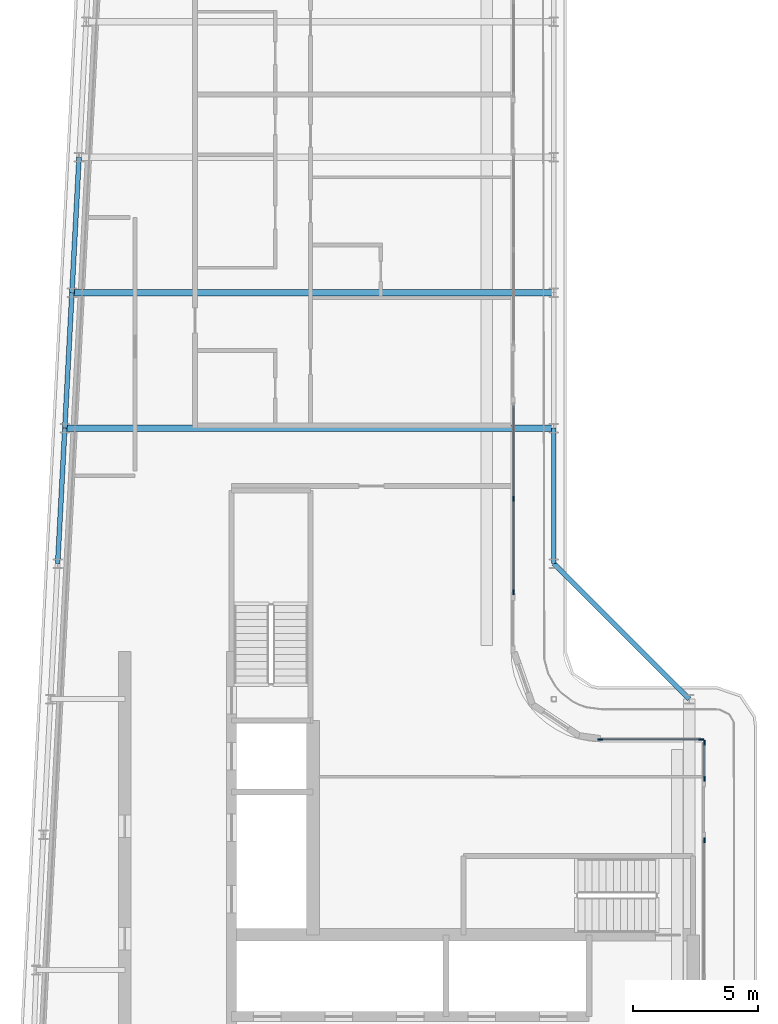
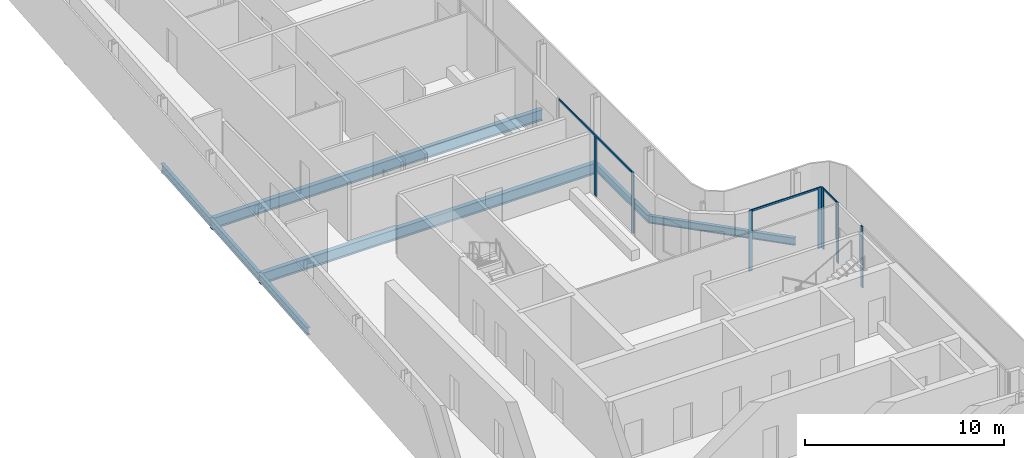
# One storey, part 5 of 17: 10 members, 7 beams, 4 elements without a shape of their own.
"""IFC4 building model written with IfcOpenShell, lengths in metres."""

from ifc_helpers import new_model, si_unit, direction, frame, origin, origin_2d, place, context, subcontext, project, spatial, rectangle, i_section, extrude, material, layer, layer_set, material_profile, profile_set, type_object, element, aggregate, save


model = new_model("IFC4")

# Units and contexts
model_context = context("Model", 3, precision=1e-05, world=origin(), true_north=direction((0.0, 1.0)))
body_context = subcontext(model_context, "Body", "Model", "MODEL_VIEW")
ifc_project = project(units=[si_unit("LENGTHUNIT", "METRE"), si_unit("AREAUNIT", "SQUARE_METRE"), si_unit("VOLUMEUNIT", "CUBIC_METRE"), si_unit("PLANEANGLEUNIT", "RADIAN"), si_unit("MASSUNIT", "GRAM", prefix="KILO")], contexts=[model_context])

# Site, building, storey
site_placement = place(None, origin())
site = spatial("IfcSite", under=ifc_project, at=site_placement, CompositionType="ELEMENT")
building_placement = place(site_placement, origin())
building = spatial("IfcBuilding", under=site, at=building_placement, Name="Kheshtan School and Residences Tower", CompositionType="ELEMENT")
storey_placement = place(building_placement, frame((0.0, 0.0, 342.199951171875)))
storey = spatial("IfcBuildingStorey", under=building, at=storey_placement, Name="L80", CompositionType="ELEMENT", Elevation=342.199951171875)

# Beams
ifc_material_1 = material(Name="Steel ASTM A992 Grade 50", Category="steel")
ifc_material_profile_1 = material_profile(ifc_material_1, i_section(OverallWidth=0.2529296875, OverallDepth=0.677978515625, WebThickness=0.01171875, FlangeThickness=0.016357421875, FilletRadius=0.0146484375, at=origin_2d()), Name="W690x125")
ifc_profile_set_1 = profile_set([ifc_material_profile_1], Name="Steel ASTM A992 Grade 50")
beam_type_1 = type_object("IfcBeamType", Name="Beam FB6 W690x125 ASTM A992 Grade 50", PredefinedType="BEAM", material=ifc_profile_set_1)
beam_1_placement = place(storey_placement, frame((47.60009765625, 61.800048828125, -0.489013671875), z_axis=(-1.0, 0.0, 0.0), x_axis=(0.0, -1.0, 0.0)))
element("IfcBeam", 1, at=beam_1_placement, inside=storey, type_object=beam_type_1, Name="Floor beam C083", PredefinedType="BEAM", context=body_context, shape_type="SweptSolid", body=[
    extrude(i_section(OverallWidth=0.2529296875, OverallDepth=0.677978515625, WebThickness=0.01171875, FlangeThickness=0.016357421875, FilletRadius=0.0146484375, at=origin_2d()), origin(), (0.0, 0.0, 1.0), 19.210205078125),
])
beam_2_placement = place(storey_placement, frame((28.10595703125, 56.39990234375, -0.489013671875), z_axis=(1.0, 0.0, 0.0), x_axis=(0.0, 1.0, 0.0)))
element("IfcBeam", 2, at=beam_2_placement, inside=storey, type_object=beam_type_1, Name="Floor beam C080", PredefinedType="BEAM", context=body_context, shape_type="SweptSolid", body=[
    extrude(i_section(OverallWidth=0.2529296875, OverallDepth=0.677978515625, WebThickness=0.01171875, FlangeThickness=0.016357421875, FilletRadius=0.0146484375, at=origin_2d()), origin(), (0.0, 0.0, 1.0), 19.494140625),
])
ifc_material_profile_2 = material_profile(ifc_material_1, i_section(OverallWidth=0.18994140625, OverallDepth=0.45703125, WebThickness=0.009033203125, FlangeThickness=0.014404296875, FilletRadius=0.01318359375, at=origin_2d()), Name="W460x74")
ifc_profile_set_2 = profile_set([ifc_material_profile_2], Name="Steel ASTM A992 Grade 50")
beam_type_2 = type_object("IfcBeamType", Name="Beam SP4 W460x74 ASTM A992 Grade 50", PredefinedType="BEAM", material=ifc_profile_set_2)
beam_3_placement = place(storey_placement, frame((47.60009765625, 56.39990234375, -0.37841796875), z_axis=(0.0, -1.0, 0.0), x_axis=(1.0, 0.0, 0.0)))
element("IfcBeam", 3, at=beam_3_placement, inside=storey, type_object=beam_type_2, Name="Spandrel beam C081-C079", PredefinedType="BEAM", context=body_context, shape_type="SweptSolid", body=[
    extrude(i_section(OverallWidth=0.18994140625, OverallDepth=0.45703125, WebThickness=0.009033203125, FlangeThickness=0.014404296875, FilletRadius=0.01318359375, at=origin_2d()), origin(), (0.0, 0.0, 1.0), 5.39990234375),
])
beam_4_placement = place(storey_placement, frame((47.60009765625, 51.0, -0.37841796875), z_axis=(0.707106781187, -0.707106781187, 0.0), x_axis=(0.707106781187, 0.707106781187, 0.0)))
element("IfcBeam", 4, at=beam_4_placement, inside=storey, type_object=beam_type_2, Name="Spandrel beam C079-C061", PredefinedType="BEAM", context=body_context, shape_type="SweptSolid", body=[
    extrude(i_section(OverallWidth=0.18994140625, OverallDepth=0.45703125, WebThickness=0.009033203125, FlangeThickness=0.014404296875, FilletRadius=0.01318359375, at=origin_2d()), origin(), (0.0, 0.0, 1.0), 7.63671875),
])
beam_5_placement = place(storey_placement, frame((27.822021484375, 51.0, -0.37841796875), z_axis=(0.05250906864, 0.998620447272, 0.0), x_axis=(-0.998620447272, 0.05250906864, 0.0)))
element("IfcBeam", 5, at=beam_5_placement, inside=storey, type_object=beam_type_2, Name="Spandrel beam C078-C080", PredefinedType="BEAM", context=body_context, shape_type="SweptSolid", body=[
    extrude(i_section(OverallWidth=0.18994140625, OverallDepth=0.45703125, WebThickness=0.009033203125, FlangeThickness=0.014404296875, FilletRadius=0.01318359375, at=origin_2d()), origin(), (0.0, 0.0, 1.0), 5.407470703125),
])
beam_6_placement = place(storey_placement, frame((28.10595703125, 56.39990234375, -0.37841796875), z_axis=(0.05250670125, 0.998620571751, 0.0), x_axis=(-0.998620571751, 0.05250670125, 0.0)))
element("IfcBeam", 6, at=beam_6_placement, inside=storey, type_object=beam_type_2, Name="Spandrel beam C080-C082", PredefinedType="BEAM", context=body_context, shape_type="SweptSolid", body=[
    extrude(i_section(OverallWidth=0.18994140625, OverallDepth=0.45703125, WebThickness=0.009033203125, FlangeThickness=0.014404296875, FilletRadius=0.01318359375, at=origin_2d()), origin(), (0.0, 0.0, 1.0), 5.40771484375),
])
beam_7_placement = place(storey_placement, frame((28.389892578125, 61.800048828125, -0.37841796875), z_axis=(0.052554093665, 0.998618078766, 0.0), x_axis=(-0.998618078766, 0.052554093665, 0.0)))
element("IfcBeam", 7, at=beam_7_placement, inside=storey, type_object=beam_type_2, Name="Spandrel beam C082-C084", PredefinedType="BEAM", context=body_context, shape_type="SweptSolid", body=[
    extrude(i_section(OverallWidth=0.18994140625, OverallDepth=0.45703125, WebThickness=0.009033203125, FlangeThickness=0.014404296875, FilletRadius=0.01318359375, at=origin_2d()), origin(), (0.0, 0.0, 1.0), 5.407470703125),
])

# Curtain wall, members
ifc_material_2 = material(Name="Clear low-e glass in thermally broken aluminium frame", Category="aluminium")
ifc_layer_1 = layer(ifc_material_2, 0.199951171875)
ifc_layer_set_1 = layer_set([ifc_layer_1], Name="Curtain wall CW-B")
curtain_wall_type_1 = type_object("IfcCurtainWallType", Name="Curtain wall CW-B", PredefinedType="NOTDEFINED", material=ifc_layer_set_1)
curtain_wall_1_placement = place(storey_placement, origin())
curtain_wall_1 = element("IfcCurtainWall", 8, at=curtain_wall_1_placement, inside=storey, type_object=curtain_wall_type_1, Name="Curtain wall CWB8", PredefinedType="NOTDEFINED")
ifc_material_3 = material(Name="Thermally broken aluminium, dark bronze anodised", Category="aluminium")
ifc_material_profile_3 = material_profile(ifc_material_3, rectangle(XDim=0.06005859375, YDim=0.199951171875, at=origin_2d()), Name="CW-B mullion 60x200")
ifc_profile_set_3 = profile_set([ifc_material_profile_3], Name="Thermally broken aluminium, dark bronze anodised")
member_type_1 = type_object("IfcMemberType", Name="CW-B mullion 60x200", PredefinedType="MULLION", material=ifc_profile_set_3)
member_1_placement = place(storey_placement, frame((49.4599609375, 44.0, 0.0), z_axis=(0.0, 0.0, 1.0), x_axis=(0.0, 1.0, 0.0)))
member_1 = element("IfcMember", 9, at=member_1_placement, type_object=member_type_1, Name="CWB8 mullion 1", PredefinedType="MULLION", context=body_context, shape_type="SweptSolid", body=[
    extrude(rectangle(XDim=0.06005859375, YDim=0.199951171875, at=origin_2d()), origin(), (0.0, 0.0, 1.0), 3.75),
])
member_2_placement = place(storey_placement, frame((53.469970703125, 44.0, 0.0), z_axis=(0.0, 0.0, 1.0), x_axis=(0.0, 1.0, 0.0)))
member_2 = element("IfcMember", 10, at=member_2_placement, type_object=member_type_1, Name="CWB8 mullion 2", PredefinedType="MULLION", context=body_context, shape_type="SweptSolid", body=[
    extrude(rectangle(XDim=0.06005859375, YDim=0.199951171875, at=origin_2d()), origin(), (0.0, 0.0, 1.0), 3.75),
])
ifc_material_profile_4 = material_profile(ifc_material_3, rectangle(XDim=0.06005859375, YDim=0.1201171875, at=origin_2d()), Name="CW-B transom 60x120")
ifc_profile_set_4 = profile_set([ifc_material_profile_4], Name="Thermally broken aluminium, dark bronze anodised")
member_type_2 = type_object("IfcMemberType", Name="CW-B transom 60x120", PredefinedType="USERDEFINED", material=ifc_profile_set_4)
member_3_placement = place(storey_placement, frame((49.489990234375, 44.0, 3.68994140625), z_axis=(1.0, 0.0, 0.0), x_axis=(0.0, 1.0, 0.0)))
member_3 = element("IfcMember", 11, at=member_3_placement, type_object=member_type_2, Name="CWB8 transom 1", ObjectType="TRANSOM", PredefinedType="USERDEFINED", context=body_context, shape_type="SweptSolid", body=[
    extrude(rectangle(XDim=0.06005859375, YDim=0.1201171875, at=origin_2d()), origin(), (0.0, 0.0, 1.0), 3.949951171875),
])
aggregate(curtain_wall_1, [member_1, member_2, member_3])

ifc_layer_2 = layer(ifc_material_2, 0.199951171875)
ifc_layer_set_2 = layer_set([ifc_layer_2], Name="Curtain wall CW-L")
curtain_wall_type_2 = type_object("IfcCurtainWallType", Name="Curtain wall CW-L", PredefinedType="NOTDEFINED", material=ifc_layer_set_2)
curtain_wall_2_placement = place(storey_placement, origin())
curtain_wall_2 = element("IfcCurtainWall", 12, at=curtain_wall_2_placement, inside=storey, type_object=curtain_wall_type_2, Name="Curtain wall CWL4a", PredefinedType="NOTDEFINED")
ifc_material_profile_5 = material_profile(ifc_material_3, rectangle(XDim=0.06005859375, YDim=0.199951171875, at=origin_2d()), Name="CW-L mullion 60x200")
ifc_profile_set_5 = profile_set([ifc_material_profile_5], Name="Thermally broken aluminium, dark bronze anodised")
member_type_3 = type_object("IfcMemberType", Name="CW-L mullion 60x200", PredefinedType="MULLION", material=ifc_profile_set_5)
member_4_placement = place(storey_placement, frame((46.0, 53.5888671875, 0.0), z_axis=(0.0, 0.0, 1.0), x_axis=(1.0, 0.0, 0.0)))
member_4 = element("IfcMember", 13, at=member_4_placement, type_object=member_type_3, Name="CWL4a mullion 2", PredefinedType="MULLION", context=body_context, shape_type="SweptSolid", body=[
    extrude(rectangle(XDim=0.06005859375, YDim=0.199951171875, at=origin_2d()), origin(), (0.0, 0.0, 1.0), 3.630126953125),
])
member_5_placement = place(storey_placement, frame((46.0, 49.860107421875, 0.0), z_axis=(0.0, 0.0, 1.0), x_axis=(1.0, 0.0, 0.0)))
member_5 = element("IfcMember", 14, at=member_5_placement, type_object=member_type_3, Name="CWL4a mullion 3", PredefinedType="MULLION", context=body_context, shape_type="SweptSolid", body=[
    extrude(rectangle(XDim=0.06005859375, YDim=0.199951171875, at=origin_2d()), origin(), (0.0, 0.0, 1.0), 3.75),
])

curtain_wall_3_placement = place(storey_placement, origin())
curtain_wall_3 = element("IfcCurtainWall", 15, at=curtain_wall_3_placement, inside=storey, type_object=curtain_wall_type_2, Name="Curtain wall CWL9b", PredefinedType="NOTDEFINED")
member_6_placement = place(storey_placement, frame((53.60009765625, 43.8701171875, 0.0), z_axis=(0.0, 0.0, 1.0), x_axis=(1.0, 0.0, 0.0)))
member_6 = element("IfcMember", 16, at=member_6_placement, type_object=member_type_3, Name="CWL9b mullion 1", PredefinedType="MULLION", context=body_context, shape_type="SweptSolid", body=[
    extrude(rectangle(XDim=0.06005859375, YDim=0.199951171875, at=origin_2d()), origin(), (0.0, 0.0, 1.0), 3.75),
])
member_7_placement = place(storey_placement, frame((53.60009765625, 42.429931640625, 0.0), z_axis=(0.0, 0.0, 1.0), x_axis=(1.0, 0.0, 0.0)))
member_7 = element("IfcMember", 17, at=member_7_placement, type_object=member_type_3, Name="CWL9b mullion 2", PredefinedType="MULLION", context=body_context, shape_type="SweptSolid", body=[
    extrude(rectangle(XDim=0.06005859375, YDim=0.199951171875, at=origin_2d()), origin(), (0.0, 0.0, 1.0), 3.75),
])

# Curtain wall, member
curtain_wall_4_placement = place(storey_placement, origin())
curtain_wall_4 = element("IfcCurtainWall", 18, at=curtain_wall_4_placement, inside=storey, type_object=curtain_wall_type_2, Name="Curtain wall CWL9c", PredefinedType="NOTDEFINED")
member_8_placement = place(storey_placement, frame((53.60009765625, 39.969970703125, 0.0), z_axis=(0.0, 0.0, 1.0), x_axis=(1.0, 0.0, 0.0)))
member_8 = element("IfcMember", 19, at=member_8_placement, type_object=member_type_3, Name="CWL9c mullion 1", PredefinedType="MULLION", context=body_context, shape_type="SweptSolid", body=[
    extrude(rectangle(XDim=0.06005859375, YDim=0.199951171875, at=origin_2d()), origin(), (0.0, 0.0, 1.0), 3.75),
])
aggregate(curtain_wall_4, [member_8])

# Member
ifc_material_profile_6 = material_profile(ifc_material_3, rectangle(XDim=0.06005859375, YDim=0.1201171875, at=origin_2d()), Name="CW-L transom 60x120")
ifc_profile_set_6 = profile_set([ifc_material_profile_6], Name="Thermally broken aluminium, dark bronze anodised")
member_type_4 = type_object("IfcMemberType", Name="CW-L transom 60x120", PredefinedType="USERDEFINED", material=ifc_profile_set_6)
member_9_placement = place(storey_placement, frame((46.0, 57.28759765625, 3.68994140625), z_axis=(0.0, -1.0, 0.0), x_axis=(1.0, 0.0, 0.0)))
member_9 = element("IfcMember", 20, at=member_9_placement, type_object=member_type_4, Name="CWL4a transom 1", ObjectType="TRANSOM", PredefinedType="USERDEFINED", context=body_context, shape_type="SweptSolid", body=[
    extrude(rectangle(XDim=0.06005859375, YDim=0.1201171875, at=origin_2d()), origin(), (0.0, 0.0, 1.0), 7.397705078125),
])

aggregate(curtain_wall_2, [member_4, member_5, member_9])

member_10_placement = place(storey_placement, frame((53.60009765625, 43.840087890625, 3.68994140625), z_axis=(0.0, -1.0, 0.0), x_axis=(1.0, 0.0, 0.0)))
member_10 = element("IfcMember", 21, at=member_10_placement, type_object=member_type_4, Name="CWL9b transom 1", ObjectType="TRANSOM", PredefinedType="USERDEFINED", context=body_context, shape_type="SweptSolid", body=[
    extrude(rectangle(XDim=0.06005859375, YDim=0.1201171875, at=origin_2d()), origin(), (0.0, 0.0, 1.0), 1.380126953125),
])

aggregate(curtain_wall_3, [member_6, member_7, member_10])

save(model, "model.ifc")
